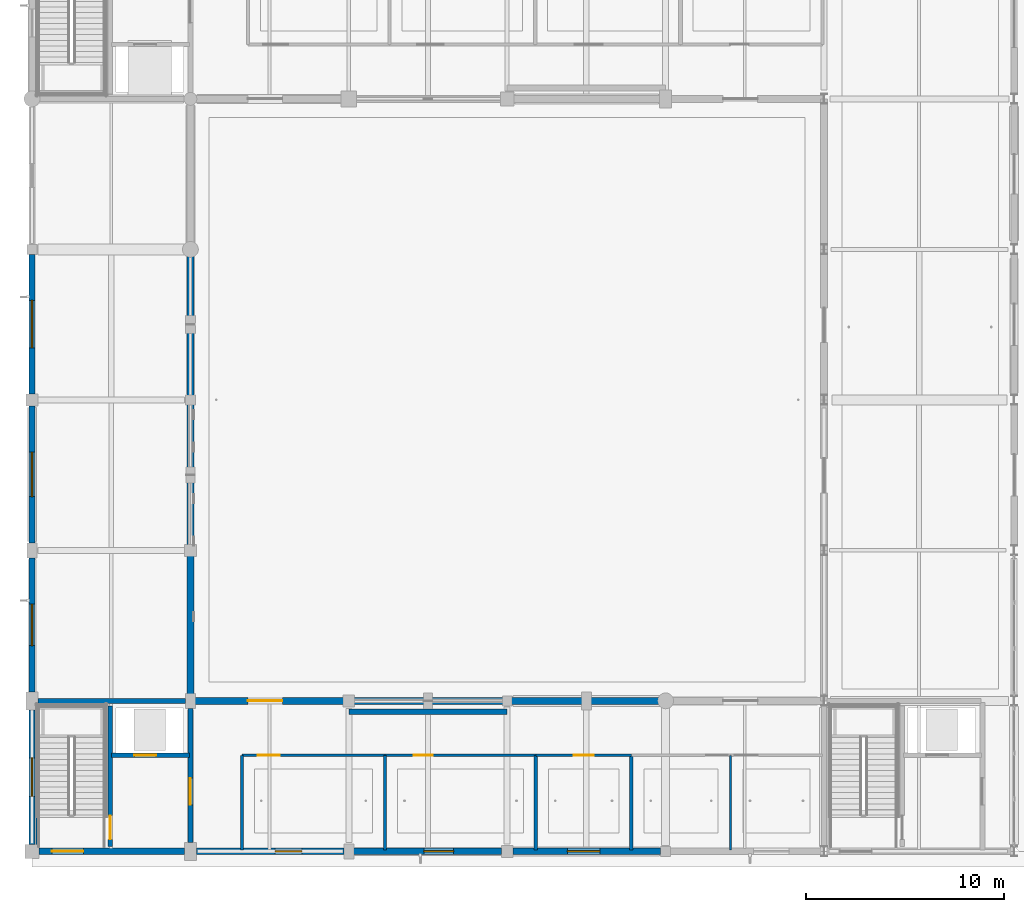
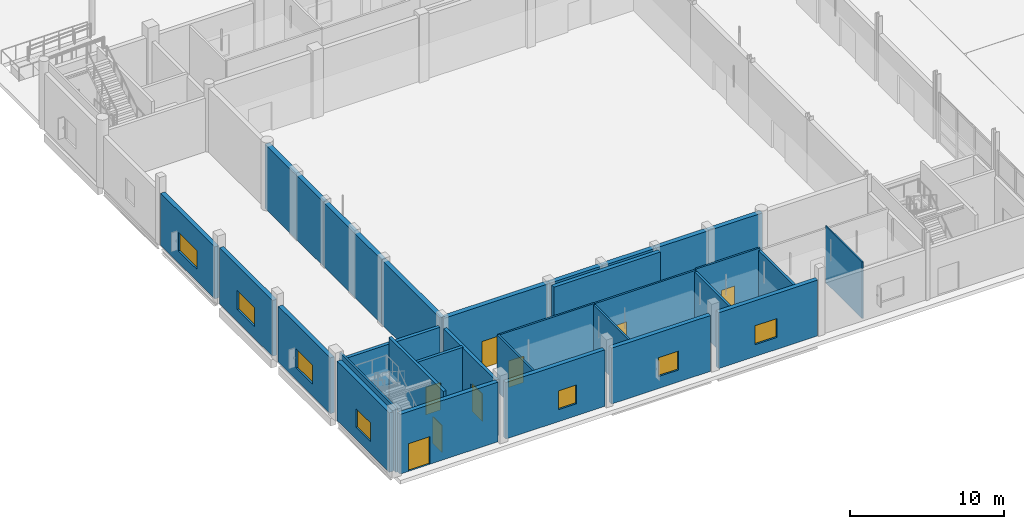
# One storey, part 59 of 126: 28 walls, 8 doors, 7 windows, 15 openings.
"""IFC4 building model written with IfcOpenShell, lengths in metres."""

from ifc_helpers import new_model, si_unit, direction, frame, frame_2d, origin, place, context, subcontext, project, spatial, rectangle, extrude, material, layer, layer_set, type_object, element, fill, save


model = new_model("IFC4")

# Units and contexts
model_context = context("Model", 3, precision=1e-05, world=origin(), true_north=direction((0.0, 1.0)))
body_context = subcontext(model_context, "Body", "Model", "MODEL_VIEW")
ifc_project = project(units=[si_unit("LENGTHUNIT", "METRE"), si_unit("AREAUNIT", "SQUARE_METRE"), si_unit("VOLUMEUNIT", "CUBIC_METRE"), si_unit("PLANEANGLEUNIT", "RADIAN"), si_unit("MASSUNIT", "GRAM", prefix="KILO")], contexts=[model_context])

# Site, building, storey
site_placement = place(None, origin())
site = spatial("IfcSite", under=ifc_project, at=site_placement, CompositionType="ELEMENT")
building_placement = place(site_placement, origin())
building = spatial("IfcBuilding", under=site, at=building_placement, Name="Khelvaren Railside Concert Hall", CompositionType="ELEMENT")
storey_placement = place(building_placement, origin())
storey = spatial("IfcBuildingStorey", under=building, at=storey_placement, Name="L00", CompositionType="ELEMENT", Elevation=0.0)

# Walls
ifc_material_1 = material(Name="Concrete C40/50", Category="concrete")
ifc_layer_1 = layer(ifc_material_1, 0.139892578125)
ifc_layer_set_1 = layer_set([ifc_layer_1], Name="Concrete C40/50")
wall_type_1 = type_object("IfcWallType", Name="CW17", PredefinedType="SOLIDWALL", material=ifc_layer_set_1)
wall_1_placement = place(storey_placement, frame((0.27490234375, 0.14990234375, 0.0), z_axis=(0.0, 0.0, 1.0), x_axis=(0.0, 1.0, 0.0)))
element("IfcWall", 1, at=wall_1_placement, inside=storey, type_object=wall_type_1, Name="Core Shaft Structural Liner Wall ST-01-L00", PredefinedType="SOLIDWALL", context=body_context, shape_type="SweptSolid", body=[
    extrude(rectangle(XDim=7.300048828125, YDim=0.139892578125, at=frame_2d((3.64990234375, 0.0))), origin(), (0.0, 0.0, 1.0), 5.10009765625),
])
ifc_layer_2 = layer(ifc_material_1, 0.25)
ifc_layer_set_2 = layer_set([ifc_layer_2], Name="Concrete C40/50")
wall_type_2 = type_object("IfcWallType", Name="CW82", PredefinedType="SOLIDWALL", material=ifc_layer_set_2)
wall_2_placement = place(storey_placement, frame((0.300048828125, 7.60009765625, 0.0), z_axis=(0.0, 0.0, 1.0), x_axis=(1.0, 0.0, 0.0)))
element("IfcWall", 2, at=wall_2_placement, inside=storey, type_object=wall_type_2, Name="Core Enclosure Wall CWALL-ST-01-L00-N", PredefinedType="SOLIDWALL", context=body_context, shape_type="SweptSolid", body=[
    extrude(rectangle(XDim=7.449951171875, YDim=0.25, at=frame_2d((3.72509765625, 0.0))), origin(), (0.0, 0.0, 1.0), 4.455078125),
])

# Wall, opening, door
wall_3_placement = place(storey_placement, frame((8.0, 0.449951171875, 0.0), z_axis=(0.0, 0.0, 1.0), x_axis=(0.0, 1.0, 0.0)))
wall_3 = element("IfcWall", 3, at=wall_3_placement, inside=storey, type_object=wall_type_2, Name="Core Enclosure Wall CWALL-ST-01-L00-E", PredefinedType="SOLIDWALL", context=body_context, shape_type="SweptSolid", body=[
    extrude(rectangle(XDim=6.775146484375, YDim=0.25, at=frame_2d((3.3876953125, 0.0))), origin(), (0.0, 0.0, 1.0), 4.455078125),
])
opening_1_placement = place(wall_3_placement, frame((1.89990234375, 0.0, 0.0)))
opening_1 = element("IfcOpeningElement", 4, at=opening_1_placement, cuts=wall_3, Name="Opening FDR34", PredefinedType="OPENING", context=body_context, shape_type="SweptSolid", body=[
    extrude(rectangle(XDim=1.35009765625, YDim=2.199951171875, at=frame_2d((0.675048828125, 1.10009765625))), frame((0.0, 0.135009765625, 0.0), z_axis=(0.0, -1.0, 0.0), x_axis=(1.0, 0.0, 0.0)), (0.0, 0.0, 1.0), 0.27001953125),
])
ifc_material_2 = material(Name="Acoustic fire-rated timber-core steel frame door", Category="steel")
door_type_1 = type_object("IfcDoorType", Name="FDR34", OperationType="NOTDEFINED", PredefinedType="DOOR", material=ifc_material_2)
door_1_placement = place(opening_1_placement, origin())
door_1 = element("IfcDoor", 5, at=door_1_placement, inside=storey, type_object=door_type_1, Name="Interior Door DR-ST-01-L00-LOB", OperationType="SINGLE_SWING_LEFT", OverallHeight=2.199951171875, OverallWidth=1.35009765625, PredefinedType="DOOR", context=body_context, shape_type="SweptSolid", body=[
    extrude(rectangle(XDim=1.35009765625, YDim=2.199951171875, at=frame_2d((0.675048828125, 1.10009765625))), frame((0.0, 0.02490234375, 0.0), z_axis=(0.0, -1.0, 0.0), x_axis=(1.0, 0.0, 0.0)), (0.0, 0.0, 1.0), 0.050048828125),
])
fill(opening_1, door_1)

ifc_layer_3 = layer(ifc_material_1, 0.219970703125)
ifc_layer_set_3 = layer_set([ifc_layer_3], Name="Concrete C40/50")
wall_type_3 = type_object("IfcWallType", Name="CW97", PredefinedType="SOLIDWALL", material=ifc_layer_set_3)
wall_4_placement = place(storey_placement, frame((3.949951171875, 0.25, 0.0), z_axis=(0.0, 0.0, 1.0), x_axis=(0.0, 1.0, 0.0)))
wall_4 = element("IfcWall", 6, at=wall_4_placement, inside=storey, type_object=wall_type_3, Name="Core Enclosure Wall CWALL-ST-01-L00-MID", PredefinedType="SOLIDWALL", context=body_context, shape_type="SweptSolid", body=[
    extrude(rectangle(XDim=7.10009765625, YDim=0.219970703125, at=frame_2d((3.550048828125, 0.0))), origin(), (0.0, 0.0, 1.0), 5.10009765625),
])
opening_2_placement = place(wall_4_placement, frame((0.35009765625, 0.0, 0.0)))
opening_2 = element("IfcOpeningElement", 7, at=opening_2_placement, cuts=wall_4, Name="Opening FDR17", PredefinedType="OPENING", context=body_context, shape_type="SweptSolid", body=[
    extrude(rectangle(XDim=1.199951171875, YDim=2.14990234375, at=frame_2d((0.60009765625, 1.074951171875))), frame((0.0, 0.119873046875, 0.0), z_axis=(0.0, -1.0, 0.0), x_axis=(1.0, 0.0, 0.0)), (0.0, 0.0, 1.0), 0.239990234375),
])
door_type_2 = type_object("IfcDoorType", Name="FDR17", OperationType="NOTDEFINED", PredefinedType="DOOR", material=ifc_material_2)
door_2_placement = place(opening_2_placement, origin())
door_2 = element("IfcDoor", 8, at=door_2_placement, inside=storey, type_object=door_type_2, Name="Interior Door DR-ST-01-L00-ST", OperationType="SINGLE_SWING_RIGHT", OverallHeight=2.14990234375, OverallWidth=1.199951171875, PredefinedType="DOOR", context=body_context, shape_type="SweptSolid", body=[
    extrude(rectangle(XDim=1.199951171875, YDim=2.14990234375, at=frame_2d((0.60009765625, 1.074951171875))), frame((0.0, 0.02490234375, 0.0), z_axis=(0.0, -1.0, 0.0), x_axis=(1.0, 0.0, 0.0)), (0.0, 0.0, 1.0), 0.050048828125),
])
fill(opening_2, door_2)

wall_5_placement = place(storey_placement, frame((4.02001953125, 4.85009765625, 0.0), z_axis=(0.0, 0.0, 1.0), x_axis=(1.0, 0.0, 0.0)))
wall_5 = element("IfcWall", 9, at=wall_5_placement, inside=storey, type_object=wall_type_3, Name="Core Enclosure Wall CWALL-ST-01-L00-SHF", PredefinedType="SOLIDWALL", context=body_context, shape_type="SweptSolid", body=[
    extrude(rectangle(XDim=3.929931640625, YDim=0.219970703125, at=frame_2d((1.96484375, 0.0))), origin(), (0.0, 0.0, 1.0), 4.47509765625),
])
opening_3_placement = place(wall_5_placement, frame((1.14990234375, 0.0, 0.0)))
opening_3 = element("IfcOpeningElement", 10, at=opening_3_placement, cuts=wall_5, Name="Opening LD-PL-06", PredefinedType="OPENING", context=body_context, shape_type="SweptSolid", body=[
    extrude(rectangle(XDim=1.10009765625, YDim=2.199951171875, at=frame_2d((0.550048828125, 1.10009765625))), frame((0.0, 0.119873046875, 0.0), z_axis=(0.0, -1.0, 0.0), x_axis=(1.0, 0.0, 0.0)), (0.0, 0.0, 1.0), 0.239990234375),
])
ifc_material_3 = material(Name="Fire-rated brushed stainless steel landing door", Category="steel")
door_type_3 = type_object("IfcDoorType", Name="LD96", OperationType="DOUBLE_DOOR_SLIDING", PredefinedType="DOOR", material=ifc_material_3)
door_3_placement = place(opening_3_placement, origin())
door_3 = element("IfcDoor", 11, at=door_3_placement, inside=storey, type_object=door_type_3, Name="Lift Landing Door LD-PL-06-L00", OperationType="DOUBLE_DOOR_SLIDING", OverallHeight=2.199951171875, OverallWidth=1.10009765625, PredefinedType="DOOR", context=body_context, shape_type="SweptSolid", body=[
    extrude(rectangle(XDim=1.10009765625, YDim=2.199951171875, at=frame_2d((0.550048828125, 1.10009765625))), frame((0.0, 0.02490234375, 0.0), z_axis=(0.0, -1.0, 0.0), x_axis=(1.0, 0.0, 0.0)), (0.0, 0.0, 1.0), 0.050048828125),
])
fill(opening_3, door_3)

ifc_material_4 = material(Name="Board-marked architectural concrete C40/50", Category="concrete")
ifc_layer_4 = layer(ifc_material_4, 0.320068359375)
ifc_layer_set_4 = layer_set([ifc_layer_4], Name="Board-marked architectural concrete C40/50")
wall_type_4 = type_object("IfcWallType", Name="EW39", PredefinedType="SOLIDWALL", material=ifc_layer_set_4)
wall_6_placement = place(storey_placement, frame((7.699951171875, 0.0, 0.0), z_axis=(0.0, 0.0, 1.0), x_axis=(-1.0, 0.0, 0.0)))
wall_6 = element("IfcWall", 12, at=wall_6_placement, inside=storey, type_object=wall_type_4, Name="V1 L00 Exterior Concrete Wall S-0", PredefinedType="SOLIDWALL", context=body_context, shape_type="SweptSolid", body=[
    extrude(rectangle(XDim=7.349853515625, YDim=0.320068359375, at=frame_2d((3.6748046875, 0.0))), origin(), (0.0, 0.0, 1.0), 4.739990234375),
])
opening_4_placement = place(wall_6_placement, frame((5.10009765625, 0.0, 0.0)))
opening_4 = element("IfcOpeningElement", 13, at=opening_4_placement, cuts=wall_6, Name="Opening E-ST01", PredefinedType="OPENING", context=body_context, shape_type="SweptSolid", body=[
    extrude(rectangle(XDim=1.60009765625, YDim=2.199951171875, at=frame_2d((0.800048828125, 1.10009765625))), frame((0.0, 0.169921875, 0.0), z_axis=(0.0, -1.0, 0.0), x_axis=(1.0, 0.0, 0.0)), (0.0, 0.0, 1.0), 0.340087890625),
])
ifc_material_5 = material(Name="Acoustic thermally broken steel exit door", Category="steel")
door_type_4 = type_object("IfcDoorType", Name="EDR80", OperationType="NOTDEFINED", PredefinedType="DOOR", material=ifc_material_5)
door_4_placement = place(opening_4_placement, origin())
door_4 = element("IfcDoor", 14, at=door_4_placement, inside=storey, type_object=door_type_4, Name="Final Stair Exit Door E-ST01", OperationType="SINGLE_SWING_RIGHT", OverallHeight=2.199951171875, OverallWidth=1.60009765625, PredefinedType="DOOR", context=body_context, shape_type="SweptSolid", body=[
    extrude(rectangle(XDim=1.60009765625, YDim=2.199951171875, at=frame_2d((0.800048828125, 1.10009765625))), frame((0.0, 0.02490234375, 0.0), z_axis=(0.0, -1.0, 0.0), x_axis=(1.0, 0.0, 0.0)), (0.0, 0.0, 1.0), 0.050048828125),
])
fill(opening_4, door_4)

# Wall, opening, window
wall_7_placement = place(storey_placement, frame((15.75, 0.0, 0.0), z_axis=(0.0, 0.0, 1.0), x_axis=(-1.0, 0.0, 0.0)))
wall_7 = element("IfcWall", 15, at=wall_7_placement, inside=storey, type_object=wall_type_4, Name="V1 L00 Exterior Concrete Wall S-8", PredefinedType="SOLIDWALL", context=body_context, shape_type="SweptSolid", body=[
    extrude(rectangle(XDim=7.449951171875, YDim=0.320068359375, at=frame_2d((3.72509765625, 0.0))), origin(), (0.0, 0.0, 1.0), 4.489990234375),
])
opening_5_placement = place(wall_7_placement, frame((2.125, 0.0, 0.949951171875)))
opening_5 = element("IfcOpeningElement", 16, at=opening_5_placement, cuts=wall_7, Name="Opening WN88", PredefinedType="OPENING", context=body_context, shape_type="SweptSolid", body=[
    extrude(rectangle(XDim=1.35009765625, YDim=1.5, at=frame_2d((0.675048828125, 0.75))), frame((0.0, 0.169921875, 0.0), z_axis=(0.0, -1.0, 0.0), x_axis=(1.0, 0.0, 0.0)), (0.0, 0.0, 1.0), 0.340087890625),
])
ifc_material_6 = material(Name="Triple-glazed acoustic aluminium window", Category="aluminium")
window_type_1 = type_object("IfcWindowType", Name="WN88", PartitioningType="SINGLE_PANEL", PredefinedType="WINDOW", material=ifc_material_6)
window_1_placement = place(opening_5_placement, origin())
window_1 = element("IfcWindow", 17, at=window_1_placement, inside=storey, type_object=window_type_1, Name="Acoustic Facade Window EW-V1-L00-S-8", OverallHeight=1.5, OverallWidth=1.35009765625, PartitioningType="SINGLE_PANEL", PredefinedType="WINDOW", context=body_context, shape_type="SweptSolid", body=[
    extrude(rectangle(XDim=1.35009765625, YDim=1.5, at=frame_2d((0.675048828125, 0.75))), frame((0.0, 0.030029296875, 0.0), z_axis=(0.0, -1.0, 0.0), x_axis=(1.0, 0.0, 0.0)), (0.0, 0.0, 1.0), 0.06005859375),
])
fill(opening_5, window_1)

wall_8_placement = place(storey_placement, frame((23.699951171875, 0.0, 0.0), z_axis=(0.0, 0.0, 1.0), x_axis=(-1.0, 0.0, 0.0)))
wall_8 = element("IfcWall", 18, at=wall_8_placement, inside=storey, type_object=wall_type_4, Name="V1 L00 Exterior Concrete Wall S-16", PredefinedType="SOLIDWALL", context=body_context, shape_type="SweptSolid", body=[
    extrude(rectangle(XDim=7.449951171875, YDim=0.320068359375, at=frame_2d((3.72509765625, 0.0))), origin(), (0.0, 0.0, 1.0), 4.43994140625),
])
opening_6_placement = place(wall_8_placement, frame((2.406494140625, 0.0, 0.949951171875)))
opening_6 = element("IfcOpeningElement", 19, at=opening_6_placement, cuts=wall_8, Name="Opening WN83", PredefinedType="OPENING", context=body_context, shape_type="SweptSolid", body=[
    extrude(rectangle(XDim=1.5, YDim=1.5, at=frame_2d((0.75, 0.75))), frame((0.0, 0.169921875, 0.0), z_axis=(0.0, -1.0, 0.0), x_axis=(1.0, 0.0, 0.0)), (0.0, 0.0, 1.0), 0.340087890625),
])
window_type_2 = type_object("IfcWindowType", Name="WN83", PartitioningType="SINGLE_PANEL", PredefinedType="WINDOW", material=ifc_material_6)
window_2_placement = place(opening_6_placement, origin())
window_2 = element("IfcWindow", 20, at=window_2_placement, inside=storey, type_object=window_type_2, Name="Acoustic Facade Window EW-V1-L00-S-16", OverallHeight=1.5, OverallWidth=1.5, PartitioningType="SINGLE_PANEL", PredefinedType="WINDOW", context=body_context, shape_type="SweptSolid", body=[
    extrude(rectangle(XDim=1.5, YDim=1.5, at=frame_2d((0.75, 0.75))), frame((0.0, 0.030029296875, 0.0), z_axis=(0.0, -1.0, 0.0), x_axis=(1.0, 0.0, 0.0)), (0.0, 0.0, 1.0), 0.06005859375),
])
fill(opening_6, window_2)

wall_9_placement = place(storey_placement, frame((31.75, 0.0, 0.0), z_axis=(0.0, 0.0, 1.0), x_axis=(-1.0, 0.0, 0.0)))
wall_9 = element("IfcWall", 21, at=wall_9_placement, inside=storey, type_object=wall_type_4, Name="V1 L00 Exterior Concrete Wall S-24", PredefinedType="SOLIDWALL", context=body_context, shape_type="SweptSolid", body=[
    extrude(rectangle(XDim=7.449951171875, YDim=0.320068359375, at=frame_2d((3.72509765625, 0.0))), origin(), (0.0, 0.0, 1.0), 4.43994140625),
])
opening_7_placement = place(wall_9_placement, frame((3.0673828125, 0.0, 0.949951171875)))
opening_7 = element("IfcOpeningElement", 22, at=opening_7_placement, cuts=wall_9, Name="Opening WN55", PredefinedType="OPENING", context=body_context, shape_type="SweptSolid", body=[
    extrude(rectangle(XDim=1.64990234375, YDim=1.5, at=frame_2d((0.824951171875, 0.75))), frame((0.0, 0.169921875, 0.0), z_axis=(0.0, -1.0, 0.0), x_axis=(1.0, 0.0, 0.0)), (0.0, 0.0, 1.0), 0.340087890625),
])
window_type_3 = type_object("IfcWindowType", Name="WN55", PartitioningType="SINGLE_PANEL", PredefinedType="WINDOW", material=ifc_material_6)
window_3_placement = place(opening_7_placement, origin())
window_3 = element("IfcWindow", 23, at=window_3_placement, inside=storey, type_object=window_type_3, Name="Acoustic Facade Window EW-V1-L00-S-24", OverallHeight=1.5, OverallWidth=1.64990234375, PartitioningType="SINGLE_PANEL", PredefinedType="WINDOW", context=body_context, shape_type="SweptSolid", body=[
    extrude(rectangle(XDim=1.64990234375, YDim=1.5, at=frame_2d((0.824951171875, 0.75))), frame((0.0, 0.030029296875, 0.0), z_axis=(0.0, -1.0, 0.0), x_axis=(1.0, 0.0, 0.0)), (0.0, 0.0, 1.0), 0.06005859375),
])
fill(opening_7, window_3)

wall_10_placement = place(storey_placement, frame((0.0, 0.35009765625, 0.0), z_axis=(0.0, 0.0, 1.0), x_axis=(0.0, 1.0, 0.0)))
wall_10 = element("IfcWall", 24, at=wall_10_placement, inside=storey, type_object=wall_type_4, Name="V1 L00 Exterior Concrete Wall W-0", PredefinedType="SOLIDWALL", context=body_context, shape_type="SweptSolid", body=[
    extrude(rectangle(XDim=6.7998046875, YDim=0.320068359375, at=frame_2d((3.39990234375, 0.0))), origin(), (0.0, 0.0, 1.0), 4.72998046875),
])
opening_8_placement = place(wall_10_placement, frame((2.425048828125, 0.0, 0.949951171875)))
opening_8 = element("IfcOpeningElement", 25, at=opening_8_placement, cuts=wall_10, Name="Opening WN74", PredefinedType="OPENING", context=body_context, shape_type="SweptSolid", body=[
    extrude(rectangle(XDim=1.949951171875, YDim=1.5, at=frame_2d((0.97509765625, 0.75))), frame((0.0, 0.169921875, 0.0), z_axis=(0.0, -1.0, 0.0), x_axis=(1.0, 0.0, 0.0)), (0.0, 0.0, 1.0), 0.340087890625),
])
window_type_4 = type_object("IfcWindowType", Name="WN74", PartitioningType="DOUBLE_PANEL_VERTICAL", PredefinedType="WINDOW", material=ifc_material_6)
window_4_placement = place(opening_8_placement, origin())
window_4 = element("IfcWindow", 26, at=window_4_placement, inside=storey, type_object=window_type_4, Name="Acoustic Facade Window EW-V1-L00-W-0", OverallHeight=1.5, OverallWidth=1.949951171875, PartitioningType="DOUBLE_PANEL_VERTICAL", PredefinedType="WINDOW", context=body_context, shape_type="SweptSolid", body=[
    extrude(rectangle(XDim=1.949951171875, YDim=1.5, at=frame_2d((0.97509765625, 0.75))), frame((0.0, 0.030029296875, 0.0), z_axis=(0.0, -1.0, 0.0), x_axis=(1.0, 0.0, 0.0)), (0.0, 0.0, 1.0), 0.06005859375),
])
fill(opening_8, window_4)

wall_11_placement = place(storey_placement, frame((0.0, 8.050048828125, 0.0), z_axis=(0.0, 0.0, 1.0), x_axis=(0.0, 1.0, 0.0)))
wall_11 = element("IfcWall", 27, at=wall_11_placement, inside=storey, type_object=wall_type_4, Name="V1 L00 Exterior Concrete Wall W-8", PredefinedType="SOLIDWALL", context=body_context, shape_type="SweptSolid", body=[
    extrude(rectangle(XDim=6.77490234375, YDim=0.320068359375, at=frame_2d((3.387451171875, 0.0))), origin(), (0.0, 0.0, 1.0), 4.43994140625),
])
opening_9_placement = place(wall_11_placement, frame((2.33740234375, 0.0, 0.949951171875)))
opening_9 = element("IfcOpeningElement", 28, at=opening_9_placement, cuts=wall_11, Name="Opening WN75", PredefinedType="OPENING", context=body_context, shape_type="SweptSolid", body=[
    extrude(rectangle(XDim=2.10009765625, YDim=1.5, at=frame_2d((1.050048828125, 0.75))), frame((0.0, 0.169921875, 0.0), z_axis=(0.0, -1.0, 0.0), x_axis=(1.0, 0.0, 0.0)), (0.0, 0.0, 1.0), 0.340087890625),
])
window_type_5 = type_object("IfcWindowType", Name="WN75", PartitioningType="DOUBLE_PANEL_VERTICAL", PredefinedType="WINDOW", material=ifc_material_6)
window_5_placement = place(opening_9_placement, origin())
window_5 = element("IfcWindow", 29, at=window_5_placement, inside=storey, type_object=window_type_5, Name="Acoustic Facade Window EW-V1-L00-W-8", OverallHeight=1.5, OverallWidth=2.10009765625, PartitioningType="DOUBLE_PANEL_VERTICAL", PredefinedType="WINDOW", context=body_context, shape_type="SweptSolid", body=[
    extrude(rectangle(XDim=2.10009765625, YDim=1.5, at=frame_2d((1.050048828125, 0.75))), frame((0.0, 0.030029296875, 0.0), z_axis=(0.0, -1.0, 0.0), x_axis=(1.0, 0.0, 0.0)), (0.0, 0.0, 1.0), 0.06005859375),
])
fill(opening_9, window_5)

wall_12_placement = place(storey_placement, frame((0.0, 15.574951171875, 0.0), z_axis=(0.0, 0.0, 1.0), x_axis=(0.0, 1.0, 0.0)))
wall_12 = element("IfcWall", 30, at=wall_12_placement, inside=storey, type_object=wall_type_4, Name="V1 L00 Exterior Concrete Wall W-15", PredefinedType="SOLIDWALL", context=body_context, shape_type="SweptSolid", body=[
    extrude(rectangle(XDim=6.925048828125, YDim=0.320068359375, at=frame_2d((3.46240234375, 0.0))), origin(), (0.0, 0.0, 1.0), 4.43994140625),
])
opening_10_placement = place(wall_12_placement, frame((2.33740234375, 0.0, 0.949951171875)))
opening_10 = element("IfcOpeningElement", 31, at=opening_10_placement, cuts=wall_12, Name="Opening WN30", PredefinedType="OPENING", context=body_context, shape_type="SweptSolid", body=[
    extrude(rectangle(XDim=2.25, YDim=1.5, at=frame_2d((1.125, 0.75))), frame((0.0, 0.169921875, 0.0), z_axis=(0.0, -1.0, 0.0), x_axis=(1.0, 0.0, 0.0)), (0.0, 0.0, 1.0), 0.340087890625),
])
window_type_6 = type_object("IfcWindowType", Name="WN30", PartitioningType="DOUBLE_PANEL_VERTICAL", PredefinedType="WINDOW", material=ifc_material_6)
window_6_placement = place(opening_10_placement, origin())
window_6 = element("IfcWindow", 32, at=window_6_placement, inside=storey, type_object=window_type_6, Name="Acoustic Facade Window EW-V1-L00-W-15", OverallHeight=1.5, OverallWidth=2.25, PartitioningType="DOUBLE_PANEL_VERTICAL", PredefinedType="WINDOW", context=body_context, shape_type="SweptSolid", body=[
    extrude(rectangle(XDim=2.25, YDim=1.5, at=frame_2d((1.125, 0.75))), frame((0.0, 0.030029296875, 0.0), z_axis=(0.0, -1.0, 0.0), x_axis=(1.0, 0.0, 0.0)), (0.0, 0.0, 1.0), 0.06005859375),
])
fill(opening_10, window_6)

wall_13_placement = place(storey_placement, frame((0.0, 23.10009765625, 0.0), z_axis=(0.0, 0.0, 1.0), x_axis=(0.0, 1.0, 0.0)))
wall_13 = element("IfcWall", 33, at=wall_13_placement, inside=storey, type_object=wall_type_4, Name="V1 L00 Exterior Concrete Wall W-23", PredefinedType="SOLIDWALL", context=body_context, shape_type="SweptSolid", body=[
    extrude(rectangle(XDim=7.0498046875, YDim=0.320068359375, at=frame_2d((3.52490234375, 0.0))), origin(), (0.0, 0.0, 1.0), 4.139892578125),
])
opening_11_placement = place(wall_13_placement, frame((2.324951171875, 0.0, 0.949951171875)))
opening_11 = element("IfcOpeningElement", 34, at=opening_11_placement, cuts=wall_13, Name="Opening WN26", PredefinedType="OPENING", context=body_context, shape_type="SweptSolid", body=[
    extrude(rectangle(XDim=2.39990234375, YDim=1.5, at=frame_2d((1.199951171875, 0.75))), frame((0.0, 0.169921875, 0.0), z_axis=(0.0, -1.0, 0.0), x_axis=(1.0, 0.0, 0.0)), (0.0, 0.0, 1.0), 0.340087890625),
])
window_type_7 = type_object("IfcWindowType", Name="WN26", PartitioningType="DOUBLE_PANEL_VERTICAL", PredefinedType="WINDOW", material=ifc_material_6)
window_7_placement = place(opening_11_placement, origin())
window_7 = element("IfcWindow", 35, at=window_7_placement, inside=storey, type_object=window_type_7, Name="Acoustic Facade Window EW-V1-L00-W-23", OverallHeight=1.5, OverallWidth=2.39990234375, PartitioningType="DOUBLE_PANEL_VERTICAL", PredefinedType="WINDOW", context=body_context, shape_type="SweptSolid", body=[
    extrude(rectangle(XDim=2.39990234375, YDim=1.5, at=frame_2d((1.199951171875, 0.75))), frame((0.0, 0.030029296875, 0.0), z_axis=(0.0, -1.0, 0.0), x_axis=(1.0, 0.0, 0.0)), (0.0, 0.0, 1.0), 0.06005859375),
])
fill(opening_11, window_7)

# Wall
ifc_material_7 = material(Name="Acoustic double-stud gypsum partition", Category="gypsum")
ifc_layer_5 = layer(ifc_material_7, 0.18994140625)
ifc_layer_set_5 = layer_set([ifc_layer_5], Name="Acoustic double-stud gypsum partition")
wall_type_5 = type_object("IfcWallType", Name="PT17", PredefinedType="PARTITIONING", material=ifc_layer_set_5)
wall_14_placement = place(storey_placement, frame((30.27001953125, 0.080078125, 0.0), z_axis=(0.0, 0.0, 1.0), x_axis=(0.0, 1.0, 0.0)))
element("IfcWall", 36, at=wall_14_placement, inside=storey, type_object=wall_type_5, Name="Acoustic Partition Wall PW-V1-L00-S0-D03", PredefinedType="PARTITIONING", context=body_context, shape_type="SweptSolid", body=[
    extrude(rectangle(XDim=4.77001953125, YDim=0.18994140625, at=frame_2d((2.385009765625, 0.0))), origin(), (0.0, 0.0, 1.0), 4.324951171875),
])

# Wall, opening, door
ifc_layer_6 = layer(ifc_material_7, 0.139892578125)
ifc_layer_set_6 = layer_set([ifc_layer_6], Name="Acoustic double-stud gypsum partition")
wall_type_6 = type_object("IfcWallType", Name="PT55", PredefinedType="PARTITIONING", material=ifc_layer_set_6)
wall_15_placement = place(storey_placement, frame((10.60009765625, 4.85009765625, 0.0), z_axis=(0.0, 0.0, 1.0), x_axis=(1.0, 0.0, 0.0)))
wall_15 = element("IfcWall", 37, at=wall_15_placement, inside=storey, type_object=wall_type_6, Name="Acoustic Partition Wall PW-V1-L00-S0-C01", PredefinedType="PARTITIONING", context=body_context, shape_type="SweptSolid", body=[
    extrude(rectangle(XDim=7.23681640625, YDim=0.139892578125, at=frame_2d((3.618408203125, 0.0))), origin(), (0.0, 0.0, 1.0), 4.455078125),
])
opening_12_placement = place(wall_15_placement, frame((0.7998046875, 0.0, 0.0)))
opening_12 = element("IfcOpeningElement", 38, at=opening_12_placement, cuts=wall_15, Name="Opening IDR53", PredefinedType="OPENING", context=body_context, shape_type="SweptSolid", body=[
    extrude(rectangle(XDim=1.1201171875, YDim=2.10009765625, at=frame_2d((0.56005859375, 1.050048828125))), frame((0.0, 0.079833984375, 0.0), z_axis=(0.0, -1.0, 0.0), x_axis=(1.0, 0.0, 0.0)), (0.0, 0.0, 1.0), 0.159912109375),
])
ifc_material_8 = material(Name="Solid oak acoustic studio door", Category="wood")
door_type_5 = type_object("IfcDoorType", Name="IDR53", OperationType="NOTDEFINED", PredefinedType="DOOR", material=ifc_material_8)
door_5_placement = place(opening_12_placement, origin())
door_5 = element("IfcDoor", 39, at=door_5_placement, inside=storey, type_object=door_type_5, Name="Interior Door DR-V1-L00-S0-01", OperationType="SINGLE_SWING_LEFT", OverallHeight=2.10009765625, OverallWidth=1.1201171875, PredefinedType="DOOR", context=body_context, shape_type="SweptSolid", body=[
    extrude(rectangle(XDim=1.1201171875, YDim=2.10009765625, at=frame_2d((0.56005859375, 1.050048828125))), frame((0.0, 0.02490234375, 0.0), z_axis=(0.0, -1.0, 0.0), x_axis=(1.0, 0.0, 0.0)), (0.0, 0.0, 1.0), 0.050048828125),
])
fill(opening_12, door_5)

wall_16_placement = place(storey_placement, frame((17.8369140625, 4.85009765625, 0.0), z_axis=(0.0, 0.0, 1.0), x_axis=(1.0, 0.0, 0.0)))
wall_16 = element("IfcWall", 40, at=wall_16_placement, inside=storey, type_object=wall_type_6, Name="Acoustic Partition Wall PW-V1-L00-S0-C02", PredefinedType="PARTITIONING", context=body_context, shape_type="SweptSolid", body=[
    extrude(rectangle(XDim=7.608154296875, YDim=0.139892578125, at=frame_2d((3.80419921875, 0.0))), origin(), (0.0, 0.0, 1.0), 4.429931640625),
])
opening_13_placement = place(wall_16_placement, frame((1.45361328125, 0.0, 0.0)))
opening_13 = element("IfcOpeningElement", 41, at=opening_13_placement, cuts=wall_16, Name="Opening IDR66", PredefinedType="OPENING", context=body_context, shape_type="SweptSolid", body=[
    extrude(rectangle(XDim=0.949951171875, YDim=2.14990234375, at=frame_2d((0.47509765625, 1.074951171875))), frame((0.0, 0.079833984375, 0.0), z_axis=(0.0, -1.0, 0.0), x_axis=(1.0, 0.0, 0.0)), (0.0, 0.0, 1.0), 0.159912109375),
])
door_type_6 = type_object("IfcDoorType", Name="IDR66", OperationType="NOTDEFINED", PredefinedType="DOOR", material=ifc_material_8)
door_6_placement = place(opening_13_placement, origin())
door_6 = element("IfcDoor", 42, at=door_6_placement, inside=storey, type_object=door_type_6, Name="Interior Door DR-V1-L00-S0-02", OperationType="SINGLE_SWING_RIGHT", OverallHeight=2.14990234375, OverallWidth=0.949951171875, PredefinedType="DOOR", context=body_context, shape_type="SweptSolid", body=[
    extrude(rectangle(XDim=0.949951171875, YDim=2.14990234375, at=frame_2d((0.47509765625, 1.074951171875))), frame((0.0, 0.02490234375, 0.0), z_axis=(0.0, -1.0, 0.0), x_axis=(1.0, 0.0, 0.0)), (0.0, 0.0, 1.0), 0.050048828125),
])
fill(opening_13, door_6)

wall_17_placement = place(storey_placement, frame((25.445068359375, 4.85009765625, 0.0), z_axis=(0.0, 0.0, 1.0), x_axis=(1.0, 0.0, 0.0)))
wall_17 = element("IfcWall", 43, at=wall_17_placement, inside=storey, type_object=wall_type_6, Name="Acoustic Partition Wall PW-V1-L00-S0-C03", PredefinedType="PARTITIONING", context=body_context, shape_type="SweptSolid", body=[
    extrude(rectangle(XDim=4.824951171875, YDim=0.139892578125, at=frame_2d((2.41259765625, 0.0))), origin(), (0.0, 0.0, 1.0), 4.514892578125),
])
opening_14_placement = place(wall_17_placement, frame((1.91259765625, 0.0, 0.0)))
opening_14 = element("IfcOpeningElement", 44, at=opening_14_placement, cuts=wall_17, Name="Opening IDR26", PredefinedType="OPENING", context=body_context, shape_type="SweptSolid", body=[
    extrude(rectangle(XDim=1.010009765625, YDim=2.14990234375, at=frame_2d((0.5048828125, 1.074951171875))), frame((0.0, 0.079833984375, 0.0), z_axis=(0.0, -1.0, 0.0), x_axis=(1.0, 0.0, 0.0)), (0.0, 0.0, 1.0), 0.159912109375),
])
door_type_7 = type_object("IfcDoorType", Name="IDR26", OperationType="NOTDEFINED", PredefinedType="DOOR", material=ifc_material_8)
door_7_placement = place(opening_14_placement, origin())
door_7 = element("IfcDoor", 45, at=door_7_placement, inside=storey, type_object=door_type_7, Name="Interior Door DR-V1-L00-S0-03", OperationType="SINGLE_SWING_LEFT", OverallHeight=2.14990234375, OverallWidth=1.010009765625, PredefinedType="DOOR", context=body_context, shape_type="SweptSolid", body=[
    extrude(rectangle(XDim=1.010009765625, YDim=2.14990234375, at=frame_2d((0.5048828125, 1.074951171875))), frame((0.0, 0.02490234375, 0.0), z_axis=(0.0, -1.0, 0.0), x_axis=(1.0, 0.0, 0.0)), (0.0, 0.0, 1.0), 0.050048828125),
])
fill(opening_14, door_7)

# Walls
wall_18_placement = place(storey_placement, frame((10.60009765625, 0.080078125, 0.0), z_axis=(0.0, 0.0, 1.0), x_axis=(0.0, 1.0, 0.0)))
element("IfcWall", 46, at=wall_18_placement, inside=storey, type_object=wall_type_6, Name="Acoustic Partition Wall PW-V1-L00-S0-W0", PredefinedType="PARTITIONING", context=body_context, shape_type="SweptSolid", body=[
    extrude(rectangle(XDim=4.77001953125, YDim=0.139892578125, at=frame_2d((2.385009765625, 0.0))), origin(), (0.0, 0.0, 1.0), 4.469970703125),
])
ifc_layer_7 = layer(ifc_material_7, 0.14990234375)
ifc_layer_set_7 = layer_set([ifc_layer_7], Name="Acoustic double-stud gypsum partition")
wall_type_7 = type_object("IfcWallType", Name="PT66", PredefinedType="PARTITIONING", material=ifc_layer_set_7)
wall_19_placement = place(storey_placement, frame((17.8369140625, 0.080078125, 0.0), z_axis=(0.0, 0.0, 1.0), x_axis=(0.0, 1.0, 0.0)))
element("IfcWall", 47, at=wall_19_placement, inside=storey, type_object=wall_type_7, Name="Acoustic Partition Wall PW-V1-L00-S0-D01", PredefinedType="PARTITIONING", context=body_context, shape_type="SweptSolid", body=[
    extrude(rectangle(XDim=4.77001953125, YDim=0.14990234375, at=frame_2d((2.385009765625, 0.0))), origin(), (0.0, 0.0, 1.0), 4.35009765625),
])
ifc_layer_8 = layer(ifc_material_7, 0.110107421875)
ifc_layer_set_8 = layer_set([ifc_layer_8], Name="Acoustic double-stud gypsum partition")
wall_type_8 = type_object("IfcWallType", Name="PT80", PredefinedType="PARTITIONING", material=ifc_layer_set_8)
wall_20_placement = place(storey_placement, frame((35.280029296875, 0.080078125, 0.0), z_axis=(0.0, 0.0, 1.0), x_axis=(0.0, 1.0, 0.0)))
element("IfcWall", 48, at=wall_20_placement, inside=storey, type_object=wall_type_8, Name="Acoustic Partition Wall PW-V1-L00-S0-D04", PredefinedType="PARTITIONING", context=body_context, shape_type="SweptSolid", body=[
    extrude(rectangle(XDim=4.77001953125, YDim=0.110107421875, at=frame_2d((2.385009765625, 0.0))), origin(), (0.0, 0.0, 1.0), 4.4951171875),
])
ifc_layer_9 = layer(ifc_material_7, 0.169921875)
ifc_layer_set_9 = layer_set([ifc_layer_9], Name="Acoustic double-stud gypsum partition")
wall_type_9 = type_object("IfcWallType", Name="PT94", PredefinedType="PARTITIONING", material=ifc_layer_set_9)
wall_21_placement = place(storey_placement, frame((25.445068359375, 0.080078125, 0.0), z_axis=(0.0, 0.0, 1.0), x_axis=(0.0, 1.0, 0.0)))
element("IfcWall", 49, at=wall_21_placement, inside=storey, type_object=wall_type_9, Name="Acoustic Partition Wall PW-V1-L00-S0-D02", PredefinedType="PARTITIONING", context=body_context, shape_type="SweptSolid", body=[
    extrude(rectangle(XDim=4.77001953125, YDim=0.169921875, at=frame_2d((2.385009765625, 0.0))), origin(), (0.0, 0.0, 1.0), 4.324951171875),
])
ifc_layer_10 = layer(ifc_material_1, 0.300048828125)
ifc_layer_set_10 = layer_set([ifc_layer_10], Name="Concrete C40/50")
wall_type_10 = type_object("IfcWallType", Name="SW62", PredefinedType="SHEAR", material=ifc_layer_set_10)
wall_22_placement = place(storey_placement, frame((16.0, 7.050048828125, 0.0), z_axis=(0.0, 0.0, 1.0), x_axis=(1.0, 0.0, 0.0)))
element("IfcWall", 50, at=wall_22_placement, inside=storey, type_object=wall_type_10, Name="V1 Outer Box Isolation Wall L00-1", PredefinedType="SHEAR", context=body_context, shape_type="SweptSolid", body=[
    extrude(rectangle(XDim=8.0, YDim=0.300048828125, at=frame_2d((4.0, 0.0))), origin(), (0.0, 0.0, 1.0), 5.10009765625),
])

# Wall, opening, door
ifc_layer_11 = layer(ifc_material_1, 0.35009765625)
ifc_layer_set_11 = layer_set([ifc_layer_11], Name="Concrete C40/50")
wall_type_11 = type_object("IfcWallType", Name="SW91", PredefinedType="SHEAR", material=ifc_layer_set_11)
wall_23_placement = place(storey_placement, frame((8.0, 7.60009765625, 0.0), z_axis=(0.0, 0.0, 1.0), x_axis=(1.0, 0.0, 0.0)))
wall_23 = element("IfcWall", 51, at=wall_23_placement, inside=storey, type_object=wall_type_11, Name="V1 Acoustic Box Shear Wall L00 S1", PredefinedType="SHEAR", context=body_context, shape_type="SweptSolid", body=[
    extrude(rectangle(XDim=8.0, YDim=0.35009765625, at=frame_2d((4.0, 0.0))), origin(), (0.0, 0.0, 1.0), 5.10009765625),
])
opening_15_placement = place(wall_23_placement, frame((2.89990234375, 0.0, 0.0)))
opening_15 = element("IfcOpeningElement", 52, at=opening_15_placement, cuts=wall_23, Name="Opening ADR83", PredefinedType="OPENING", context=body_context, shape_type="SweptSolid", body=[
    extrude(rectangle(XDim=1.75, YDim=2.25, at=frame_2d((0.875, 1.125))), frame((0.0, 0.18505859375, 0.0), z_axis=(0.0, -1.0, 0.0), x_axis=(1.0, 0.0, 0.0)), (0.0, 0.0, 1.0), 0.3701171875),
])
ifc_material_9 = material(Name="Heavy acoustic double sound-lock fire door", Category="wood")
door_type_8 = type_object("IfcDoorType", Name="ADR83", OperationType="DOUBLE_DOOR_SINGLE_SWING", PredefinedType="DOOR", material=ifc_material_9)
door_8_placement = place(opening_15_placement, origin())
door_8 = element("IfcDoor", 53, at=door_8_placement, inside=storey, type_object=door_type_8, Name="Main Concert Hall Acoustic Sound-Lock Door L00-S1", OperationType="DOUBLE_DOOR_SINGLE_SWING", OverallHeight=2.25, OverallWidth=1.75, PredefinedType="DOOR", context=body_context, shape_type="SweptSolid", body=[
    extrude(rectangle(XDim=1.75, YDim=2.25, at=frame_2d((0.875, 1.125))), frame((0.0, 0.02490234375, 0.0), z_axis=(0.0, -1.0, 0.0), x_axis=(1.0, 0.0, 0.0)), (0.0, 0.0, 1.0), 0.050048828125),
])
fill(opening_15, door_8)

# Walls
for number, where, z_axis, x_axis, name in (
    (54, (16.0, 7.60009765625, 0.0), (0.0, 0.0, 1.0), (1.0, 0.0, 0.0), "V1 Acoustic Box Shear Wall L00 S2"),
    (55, (24.0, 7.60009765625, 0.0), (0.0, 0.0, 1.0), (1.0, 0.0, 0.0), "V1 Acoustic Box Shear Wall L00 S3"),
):
    element("IfcWall", number, at=place(storey_placement, frame(where, z_axis=z_axis, x_axis=x_axis)), inside=storey, type_object=wall_type_11, Name=name, PredefinedType="SHEAR", context=body_context, shape_type="SweptSolid", body=[
        extrude(rectangle(XDim=8.0, YDim=0.35009765625, at=frame_2d((4.0, 0.0))), origin(), (0.0, 0.0, 1.0), 5.10009765625),
    ])
wall_24_placement = place(storey_placement, frame((8.0, 7.60009765625, 0.0), z_axis=(0.0, 0.0, 1.0), x_axis=(0.0, 1.0, 0.0)))
element("IfcWall", 56, at=wall_24_placement, inside=storey, type_object=wall_type_11, Name="V1 Acoustic Box Shear Wall L00 W1", PredefinedType="SHEAR", context=body_context, shape_type="SweptSolid", body=[
    extrude(rectangle(XDim=7.599853515625, YDim=0.35009765625, at=frame_2d((3.7998046875, 0.0))), origin(), (0.0, 0.0, 1.0), 5.10009765625),
])
wall_25_placement = place(storey_placement, frame((8.0, 15.199951171875, 0.0), z_axis=(0.0, 0.0, 1.0), x_axis=(0.0, 1.0, 0.0)))
element("IfcWall", 57, at=wall_25_placement, inside=storey, type_object=wall_type_11, Name="V1 Acoustic Box Shear Wall L00 W2", PredefinedType="SHEAR", context=body_context, shape_type="SweptSolid", body=[
    extrude(rectangle(XDim=7.60009765625, YDim=0.35009765625, at=frame_2d((3.800048828125, 0.0))), origin(), (0.0, 0.0, 1.0), 5.10009765625),
])
wall_26_placement = place(storey_placement, frame((8.0, 22.800048828125, 0.0), z_axis=(0.0, 0.0, 1.0), x_axis=(0.0, 1.0, 0.0)))
element("IfcWall", 58, at=wall_26_placement, inside=storey, type_object=wall_type_11, Name="V1 Acoustic Box Shear Wall L00 W3", PredefinedType="SHEAR", context=body_context, shape_type="SweptSolid", body=[
    extrude(rectangle(XDim=7.599853515625, YDim=0.35009765625, at=frame_2d((3.7998046875, 0.0))), origin(), (0.0, 0.0, 1.0), 5.10009765625),
])

save(model, "model.ifc")
